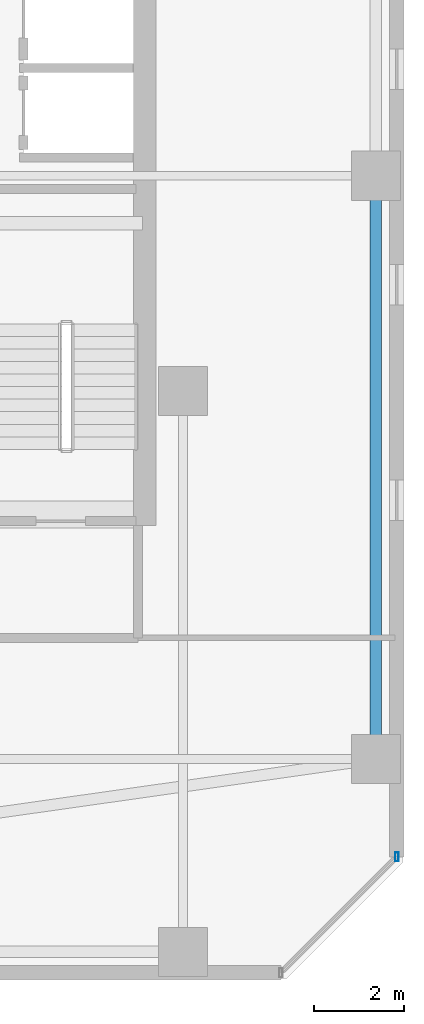
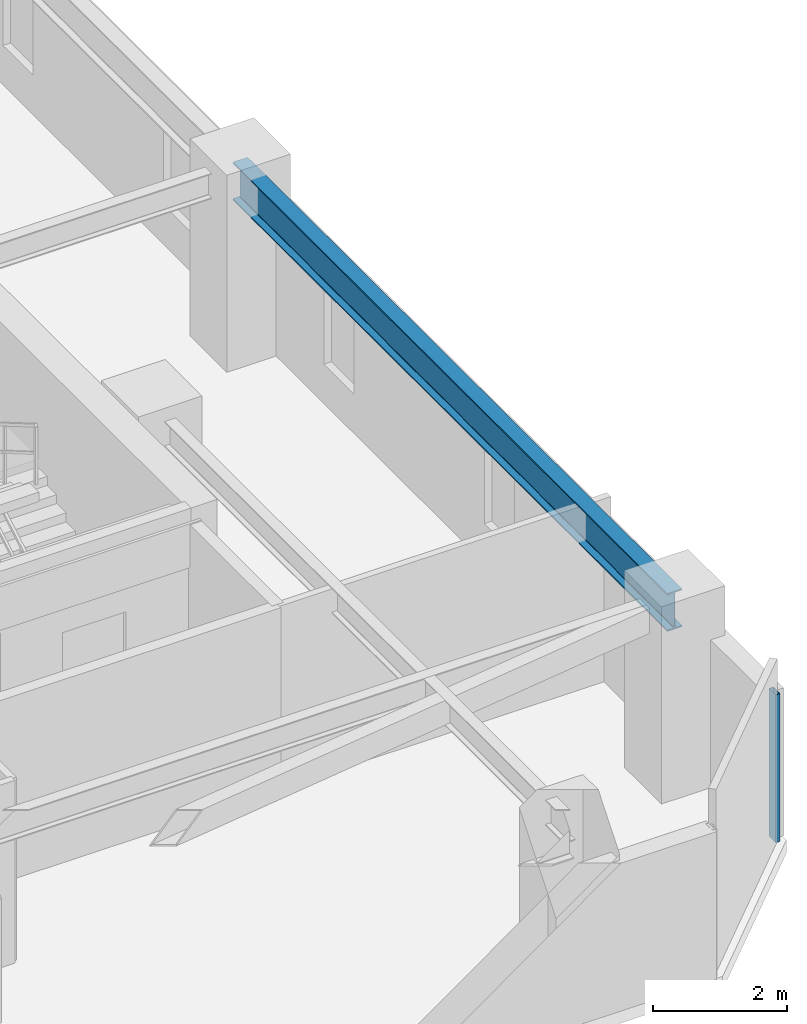
# One storey, part 15 of 33: 1 beam, 1 member, 1 element without a shape of its own.
"""IFC4 building model written with IfcOpenShell, lengths in metres."""

from ifc_helpers import new_model, si_unit, direction, frame, origin, origin_2d, place, context, subcontext, project, spatial, hollow_rectangle, i_section, extrude, material, material_profile, profile_set, type_object, element, aggregate, save


model = new_model("IFC4")

# Units and contexts
model_context = context("Model", 3, precision=1e-05, world=origin(), true_north=direction((0.0, 1.0)))
body_context = subcontext(model_context, "Body", "Model", "MODEL_VIEW")
ifc_project = project(units=[si_unit("LENGTHUNIT", "METRE"), si_unit("AREAUNIT", "SQUARE_METRE"), si_unit("VOLUMEUNIT", "CUBIC_METRE"), si_unit("PLANEANGLEUNIT", "RADIAN"), si_unit("MASSUNIT", "GRAM", prefix="KILO")], contexts=[model_context])

# Site, building, storey
site_placement = place(None, origin())
site = spatial("IfcSite", under=ifc_project, at=site_placement, CompositionType="ELEMENT")
building_placement = place(site_placement, origin())
building = spatial("IfcBuilding", under=site, at=building_placement, Name="Thornwick Lancets Civic Towers", CompositionType="ELEMENT")
storey_placement = place(building_placement, frame((0.0, 0.0, 192.89990234375)))
storey = spatial("IfcBuildingStorey", under=building, at=storey_placement, Name="L51", CompositionType="ELEMENT", Elevation=192.89990234375)

# Beam
ifc_material_1 = material(Name="Steel S355JR", Category="steel")
ifc_material_profile_1 = material_profile(ifc_material_1, i_section(OverallWidth=0.255859375, OverallDepth=0.69287109375, WebThickness=0.014404296875, FlangeThickness=0.023681640625, FilletRadius=0.01513671875, at=origin_2d()), Name="UKB 686x254x170")
ifc_profile_set_1 = profile_set([ifc_material_profile_1], Name="Steel S355JR")
beam_type = type_object("IfcBeamType", Name="BM_GIRD_686_170", PredefinedType="BEAM", material=ifc_profile_set_1)
beam_placement = place(storey_placement, frame((105.800048828125, 14.0, 3.013671875), z_axis=(0.0, 1.0, 0.0), x_axis=(-1.0, 0.0, 0.0)))
element("IfcBeam", 1, at=beam_placement, inside=storey, type_object=beam_type, Name="BM-SPINE-L51-B-0-1", PredefinedType="BEAM", context=body_context, shape_type="SweptSolid", body=[
    extrude(i_section(OverallWidth=0.255859375, OverallDepth=0.69287109375, WebThickness=0.014404296875, FlangeThickness=0.023681640625, FilletRadius=0.01513671875, at=origin_2d()), origin(), (0.0, 0.0, 1.0), 13.0),
])

# Curtain wall, member
ifc_material_2 = material(Name="Mid-zone chamfered-corner unitised glass curtain wall", Category="glass")
curtain_wall_type = type_object("IfcCurtainWallType", Name="CW_SYS_04", PredefinedType="NOTDEFINED", material=ifc_material_2)
curtain_wall_placement = place(storey_placement, origin())
curtain_wall = element("IfcCurtainWall", 2, at=curtain_wall_placement, inside=storey, type_object=curtain_wall_type, Name="L51 Curtain Wall CW-L51-B-E1", PredefinedType="NOTDEFINED")
ifc_material_3 = material(Name="Thermally broken bronze aluminium S355", Category="steel")
ifc_material_profile_2 = material_profile(ifc_material_3, hollow_rectangle(XDim=0.080078125, YDim=0.199951171875, WallThickness=0.006103515625, at=origin_2d()), Name="RHS 200x80x6")
ifc_profile_set_2 = profile_set([ifc_material_profile_2], Name="Thermally broken bronze aluminium S355")
member_type = type_object("IfcMemberType", Name="CW_MUL_200", PredefinedType="MULLION", material=ifc_profile_set_2)
member_placement = place(storey_placement, frame((106.2646484375, 11.818603515625, 0.0), z_axis=(0.0, 0.0, 1.0), x_axis=(1.0, 0.0, 0.0)))
member = element("IfcMember", 3, at=member_placement, type_object=member_type, Name="CW-L51-B-E1 Mullion 1", PredefinedType="MULLION", context=body_context, shape_type="SweptSolid", body=[
    extrude(hollow_rectangle(XDim=0.080078125, YDim=0.199951171875, WallThickness=0.006103515625, at=origin_2d()), origin(), (0.0, 0.0, 1.0), 2.7001953125),
])
aggregate(curtain_wall, [member])

save(model, "model.ifc")
